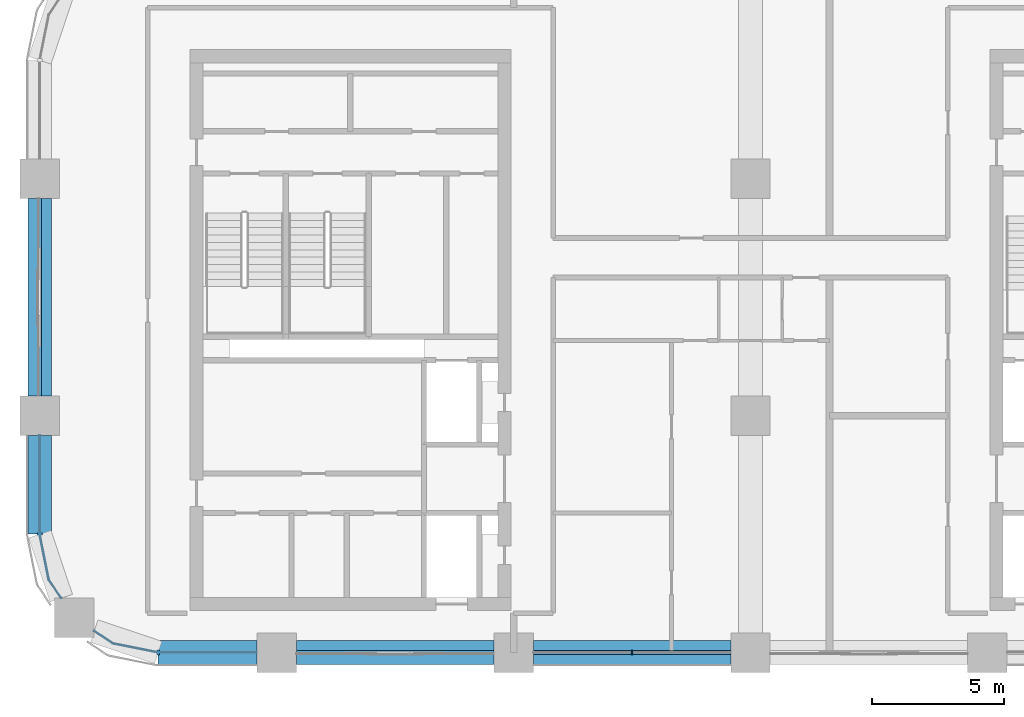
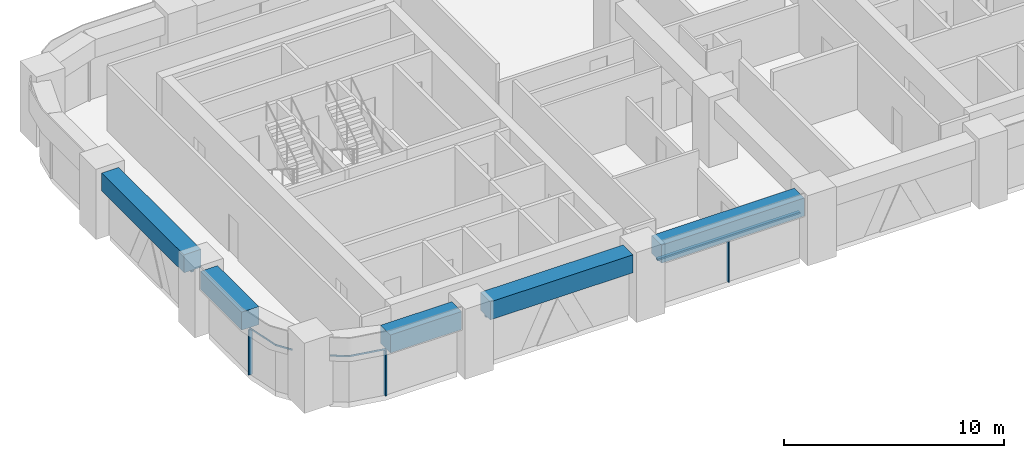
# One storey, part 2 of 18: 8 members, 5 beams, 5 elements without a shape of their own.
"""IFC4 building model written with IfcOpenShell, lengths in metres."""

from ifc_helpers import new_model, si_unit, direction, frame, origin, origin_2d, place, context, subcontext, project, spatial, polyline, rectangle, outline, extrude, material, material_profile, profile_set, type_object, element, aggregate, save


model = new_model("IFC4")

# Units and contexts
model_context = context("Model", 3, precision=1e-05, world=origin(), true_north=direction((0.0, 1.0)))
body_context = subcontext(model_context, "Body", "Model", "MODEL_VIEW")
ifc_project = project(units=[si_unit("LENGTHUNIT", "METRE"), si_unit("AREAUNIT", "SQUARE_METRE"), si_unit("VOLUMEUNIT", "CUBIC_METRE"), si_unit("PLANEANGLEUNIT", "RADIAN"), si_unit("MASSUNIT", "GRAM", prefix="KILO")], contexts=[model_context])

# Site, building, storey
site_placement = place(None, origin())
site = spatial("IfcSite", under=ifc_project, at=site_placement, CompositionType="ELEMENT")
building_placement = place(site_placement, origin())
building = spatial("IfcBuilding", under=site, at=building_placement, Name="Tessera Arch", CompositionType="ELEMENT")
storey_placement = place(building_placement, frame((0.0, 0.0, 154.39990234375)))
storey = spatial("IfcBuildingStorey", under=building, at=storey_placement, Name="L36", CompositionType="ELEMENT", Elevation=154.39990234375)

# Curtain wall, members
ifc_material_1 = material(Name="CW1 curtain wall")
curtain_wall_type_1 = type_object("IfcCurtainWallType", Name="CW1 curtain wall", PredefinedType="NOTDEFINED", material=ifc_material_1)
curtain_wall_1_placement = place(storey_placement, origin())
curtain_wall_1 = element("IfcCurtainWall", 1, at=curtain_wall_1_placement, inside=storey, type_object=curtain_wall_type_1, Name="CW1 curtain wall S27.0/2 L36", PredefinedType="NOTDEFINED")
ifc_material_2 = material(Name="Anodised aluminium pale metal", Category="aluminium")
ifc_material_profile_1 = material_profile(ifc_material_2, rectangle(XDim=0.159912109375, YDim=0.06005859375, at=origin_2d()), Name="AL 60x160")
ifc_profile_set_1 = profile_set([ifc_material_profile_1], Name="Anodised aluminium pale metal")
member_type_1 = type_object("IfcMemberType", Name="CW1 mullion", PredefinedType="MULLION", material=ifc_profile_set_1)
member_1_placement = place(storey_placement, frame((22.5, 27.0, 0.0), z_axis=(0.0, 0.0, 1.0), x_axis=(0.0, 1.0, 0.0)))
member_1 = element("IfcMember", 2, at=member_1_placement, type_object=member_type_1, Name="CW1 mullion S27.0/2 1", PredefinedType="MULLION", context=body_context, shape_type="SweptSolid", body=[
    extrude(rectangle(XDim=0.159912109375, YDim=0.06005859375, at=origin_2d()), origin(), (0.0, 0.0, 1.0), 2.5),
])
ifc_material_3 = material(Name="Anodised aluminium pale metal", Category="aluminium")
ifc_material_profile_2 = material_profile(ifc_material_3, rectangle(XDim=0.159912109375, YDim=0.10009765625, at=origin_2d()), Name="AL 160x100")
ifc_profile_set_2 = profile_set([ifc_material_profile_2], Name="Anodised aluminium pale metal")
member_type_2 = type_object("IfcMemberType", Name="CW1 transom", PredefinedType="USERDEFINED", material=ifc_profile_set_2)
member_2_placement = place(storey_placement, frame((18.75, 27.0, 2.550048828125), z_axis=(1.0, 0.0, 0.0), x_axis=(0.0, 1.0, 0.0)))
member_2 = element("IfcMember", 3, at=member_2_placement, type_object=member_type_2, Name="CW1 transom S27.0/2 1.1", ObjectType="TRANSOM", PredefinedType="USERDEFINED", context=body_context, shape_type="SweptSolid", body=[
    extrude(rectangle(XDim=0.159912109375, YDim=0.10009765625, at=origin_2d()), origin(), (0.0, 0.0, 1.0), 7.5),
])
aggregate(curtain_wall_1, [member_1, member_2])

# Curtain wall, member
ifc_material_4 = material(Name="CW2 curtain wall")
curtain_wall_type_2 = type_object("IfcCurtainWallType", Name="CW2 curtain wall", PredefinedType="NOTDEFINED", material=ifc_material_4)
curtain_wall_2_placement = place(storey_placement, origin())
curtain_wall_2 = element("IfcCurtainWall", 4, at=curtain_wall_2_placement, inside=storey, type_object=curtain_wall_type_2, Name="CW2 curtain wall W0.27/2 L36", PredefinedType="NOTDEFINED")
ifc_material_5 = material(Name="Anodised aluminium pale metal", Category="aluminium")
ifc_material_profile_3 = material_profile(ifc_material_5, rectangle(XDim=0.199951171875, YDim=0.080078125, at=origin_2d()), Name="AL 80x200")
ifc_profile_set_3 = profile_set([ifc_material_profile_3], Name="Anodised aluminium pale metal")
member_type_3 = type_object("IfcMemberType", Name="CW2 mullion", PredefinedType="MULLION", material=ifc_profile_set_3)
member_3_placement = place(storey_placement, frame((0.0, 31.5, 0.0), z_axis=(0.0, 0.0, 1.0), x_axis=(1.0, 0.0, 0.0)))
member_3 = element("IfcMember", 5, at=member_3_placement, type_object=member_type_3, Name="CW2 mullion W0.27/2 1", PredefinedType="MULLION", context=body_context, shape_type="SweptSolid", body=[
    extrude(rectangle(XDim=0.199951171875, YDim=0.080078125, at=origin_2d()), origin(), (0.0, 0.0, 1.0), 2.5),
])

curtain_wall_3_placement = place(storey_placement, origin())
curtain_wall_3 = element("IfcCurtainWall", 6, at=curtain_wall_3_placement, inside=storey, type_object=curtain_wall_type_2, Name="CW2 curtain wall S27.0/0 L36", PredefinedType="NOTDEFINED")
member_4_placement = place(storey_placement, frame((4.5, 27.0, 0.0), z_axis=(0.0, 0.0, 1.0), x_axis=(0.0, 1.0, 0.0)))
member_4 = element("IfcMember", 7, at=member_4_placement, type_object=member_type_3, Name="CW2 mullion S27.0/0 1", PredefinedType="MULLION", context=body_context, shape_type="SweptSolid", body=[
    extrude(rectangle(XDim=0.199951171875, YDim=0.080078125, at=origin_2d()), origin(), (0.0, 0.0, 1.0), 2.5),
])

# Member
ifc_material_6 = material(Name="Anodised aluminium pale metal", Category="aluminium")
ifc_material_profile_4 = material_profile(ifc_material_6, rectangle(XDim=0.199951171875, YDim=0.10009765625, at=origin_2d()), Name="AL 200x100")
ifc_profile_set_4 = profile_set([ifc_material_profile_4], Name="Anodised aluminium pale metal")
member_type_4 = type_object("IfcMemberType", Name="CW2 transom", PredefinedType="USERDEFINED", material=ifc_profile_set_4)
member_5_placement = place(storey_placement, frame((0.0, 0.0, 2.5)))
member_5 = element("IfcMember", 8, at=member_5_placement, type_object=member_type_4, Name="CW2 transom W0.27/2 1", ObjectType="TRANSOM", PredefinedType="USERDEFINED", context=body_context, shape_type="SweptSolid", body=[
    extrude(outline(polyline([(0.010009765625, 31.5009765625), (0.010009765625, 35.25), (-0.010009765625, 35.25), (-0.010009765625, 31.4990234375), (0.3330078125, 29.77392578125), (0.80859375, 29.0625), (0.8251953125, 29.073486328125), (0.351806640625, 29.78173828125), (0.010009765625, 31.5009765625)])), origin(), (0.0, 0.0, 1.0), 0.10009765625),
])

aggregate(curtain_wall_2, [member_3, member_5])

member_6_placement = place(storey_placement, frame((0.0, 0.0, 2.5)))
member_6 = element("IfcMember", 9, at=member_6_placement, type_object=member_type_4, Name="CW2 transom S27.0/0 1", ObjectType="TRANSOM", PredefinedType="USERDEFINED", context=body_context, shape_type="SweptSolid", body=[
    extrude(outline(polyline([(2.78173828125, 27.351806640625), (2.073486328125, 27.8251953125), (2.0625, 27.80859375), (2.77392578125, 27.3330078125), (4.4990234375, 26.989990234375), (8.25, 26.989990234375), (8.25, 27.010009765625), (4.5009765625, 27.010009765625), (2.78173828125, 27.351806640625)])), origin(), (0.0, 0.0, 1.0), 0.10009765625),
])

aggregate(curtain_wall_3, [member_4, member_6])

# Curtain wall, member
ifc_material_7 = material(Name="CW3 curtain wall")
curtain_wall_type_3 = type_object("IfcCurtainWallType", Name="CW3 curtain wall", PredefinedType="NOTDEFINED", material=ifc_material_7)
curtain_wall_4_placement = place(storey_placement, origin())
curtain_wall_4 = element("IfcCurtainWall", 10, at=curtain_wall_4_placement, inside=storey, type_object=curtain_wall_type_3, Name="CW3 curtain wall W0.27/1 L36", PredefinedType="NOTDEFINED")
ifc_material_8 = material(Name="Anodised aluminium pale metal", Category="aluminium")
ifc_material_profile_5 = material_profile(ifc_material_8, rectangle(XDim=0.139892578125, YDim=0.10009765625, at=origin_2d()), Name="AL 140x100")
ifc_profile_set_5 = profile_set([ifc_material_profile_5], Name="Anodised aluminium pale metal")
member_type_5 = type_object("IfcMemberType", Name="CW3 transom", PredefinedType="USERDEFINED", material=ifc_profile_set_5)
member_7_placement = place(storey_placement, frame((0.0, 44.25, 2.550048828125), z_axis=(0.0, -1.0, 0.0), x_axis=(1.0, 0.0, 0.0)))
member_7 = element("IfcMember", 11, at=member_7_placement, type_object=member_type_5, Name="CW3 transom W0.27/1 1.1", ObjectType="TRANSOM", PredefinedType="USERDEFINED", context=body_context, shape_type="SweptSolid", body=[
    extrude(rectangle(XDim=0.139892578125, YDim=0.10009765625, at=origin_2d()), origin(), (0.0, 0.0, 1.0), 7.5),
])
aggregate(curtain_wall_4, [member_7])

curtain_wall_5_placement = place(storey_placement, origin())
curtain_wall_5 = element("IfcCurtainWall", 12, at=curtain_wall_5_placement, inside=storey, type_object=curtain_wall_type_3, Name="CW3 curtain wall S27.0/1 L36", PredefinedType="NOTDEFINED")
member_8_placement = place(storey_placement, frame((9.75, 27.0, 2.550048828125), z_axis=(1.0, 0.0, 0.0), x_axis=(0.0, 1.0, 0.0)))
member_8 = element("IfcMember", 13, at=member_8_placement, type_object=member_type_5, Name="CW3 transom S27.0/1 1.1", ObjectType="TRANSOM", PredefinedType="USERDEFINED", context=body_context, shape_type="SweptSolid", body=[
    extrude(rectangle(XDim=0.139892578125, YDim=0.10009765625, at=origin_2d()), origin(), (0.0, 0.0, 1.0), 7.5),
])
aggregate(curtain_wall_5, [member_8])

# Beams
ifc_material_9 = material(Name="Concrete C70/85", Category="concrete")
ifc_material_profile_6 = material_profile(ifc_material_9, rectangle(XDim=0.89990234375, YDim=1.0, at=origin_2d()), Name="RC spandrel beam 900 x 1000 Concrete C70/85")
ifc_profile_set_6 = profile_set([ifc_material_profile_6], Name="Concrete C70/85")
beam_type = type_object("IfcBeamType", Name="RC spandrel beam 900 x 1000 Concrete C70/85", PredefinedType="BEAM", material=ifc_profile_set_6)
beam_placement = place(storey_placement, frame((0.0, 44.25, 3.10009765625), z_axis=(0.0, -1.0, 0.0), x_axis=(1.0, 0.0, 0.0)))
element("IfcBeam", 14, at=beam_placement, inside=storey, type_object=beam_type, Name="Spandrel beam L36 W0.27/1", PredefinedType="BEAM", context=body_context, shape_type="SweptSolid", body=[
    extrude(rectangle(XDim=0.89990234375, YDim=1.0, at=origin_2d()), origin(), (0.0, 0.0, 1.0), 7.5),
])
for number, where, z_axis, x_axis, name in (
    (15, (0.0, 35.25, 3.10009765625), (0.0, -1.0, 0.0), (1.0, 0.0, 0.0), "Spandrel beam L36 W0.27/2.1"),
    (16, (4.5, 27.0, 3.10009765625), (1.0, 0.0, 0.0), (0.0, 1.0, 0.0), "Spandrel beam L36 S27.0/0.2"),
):
    element("IfcBeam", number, at=place(storey_placement, frame(where, z_axis=z_axis, x_axis=x_axis)), inside=storey, type_object=beam_type, Name=name, PredefinedType="BEAM", context=body_context, shape_type="SweptSolid", body=[
        extrude(rectangle(XDim=0.89990234375, YDim=1.0, at=origin_2d()), origin(), (0.0, 0.0, 1.0), 3.75),
    ])
for number, where, z_axis, x_axis, name in (
    (17, (9.75, 27.0, 3.10009765625), (1.0, 0.0, 0.0), (0.0, 1.0, 0.0), "Spandrel beam L36 S27.0/1"),
    (18, (18.75, 27.0, 3.10009765625), (1.0, 0.0, 0.0), (0.0, 1.0, 0.0), "Spandrel beam L36 S27.0/2"),
):
    element("IfcBeam", number, at=place(storey_placement, frame(where, z_axis=z_axis, x_axis=x_axis)), inside=storey, type_object=beam_type, Name=name, PredefinedType="BEAM", context=body_context, shape_type="SweptSolid", body=[
        extrude(rectangle(XDim=0.89990234375, YDim=1.0, at=origin_2d()), origin(), (0.0, 0.0, 1.0), 7.5),
    ])

save(model, "model.ifc")
